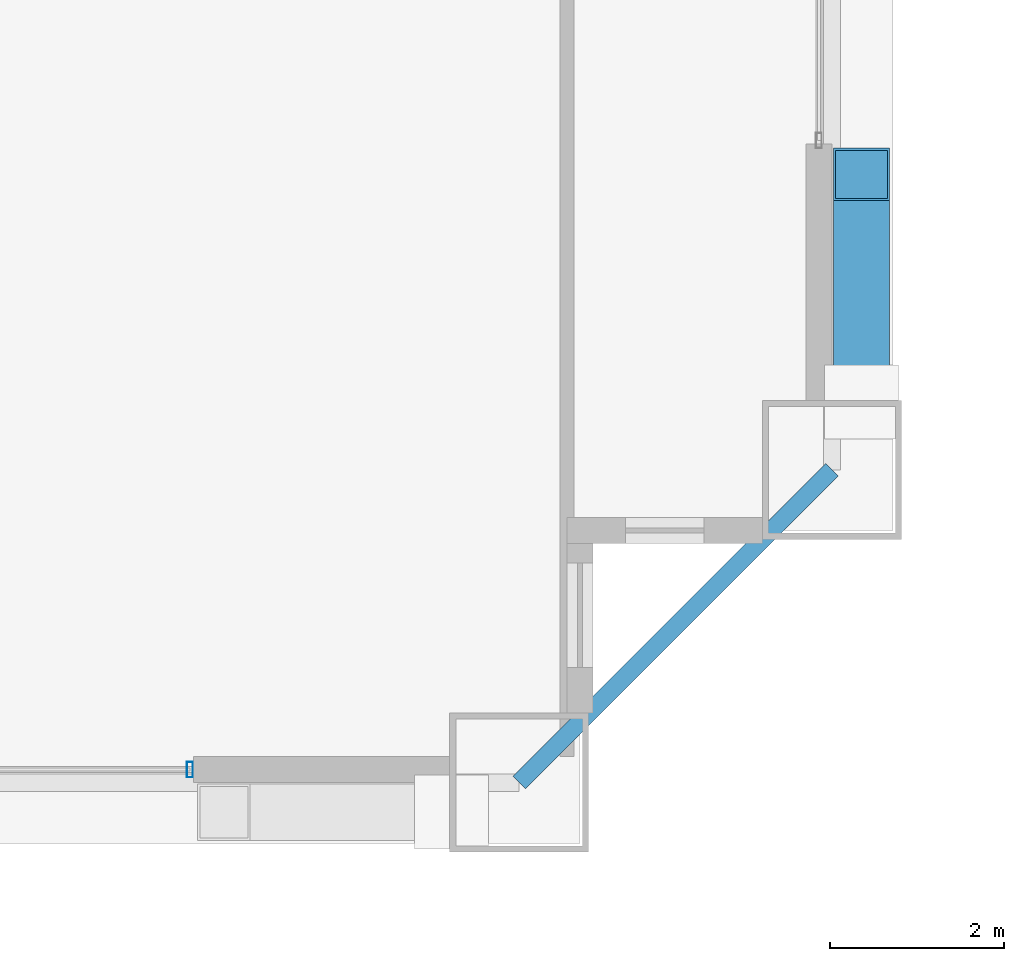
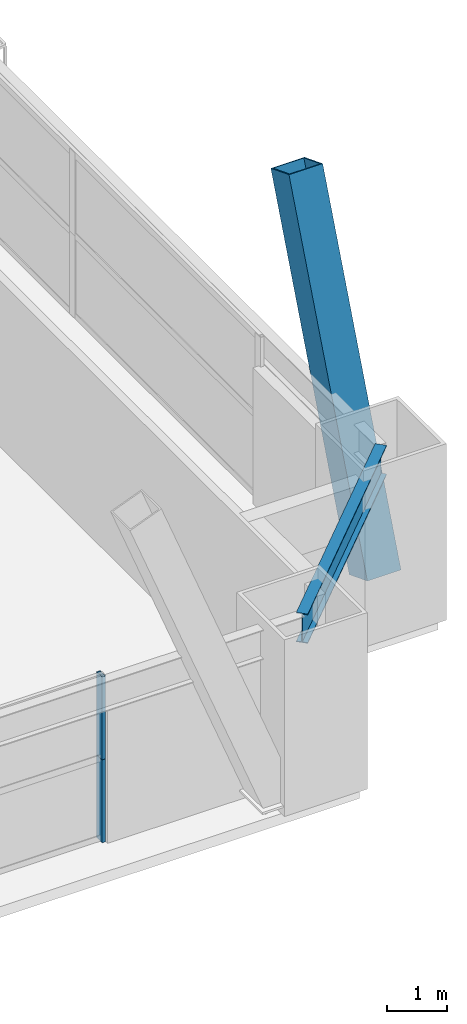
# One storey, part 16 of 43: 3 members, 1 beam, 1 element without a shape of its own.
"""IFC4 building model written with IfcOpenShell, lengths in metres."""

from ifc_helpers import new_model, si_unit, direction, frame, origin, origin_2d, place, context, subcontext, project, spatial, hollow_rectangle, i_section, extrude, source, transform, mapped, material, layer, layer_set, material_profile, profile_set, type_object, element, aggregate, save


model = new_model("IFC4")

# Units and contexts
model_context = context("Model", 3, precision=1e-05, world=origin(), true_north=direction((0.0, 1.0)))
body_context = subcontext(model_context, "Body", "Model", "MODEL_VIEW")
ifc_project = project(units=[si_unit("LENGTHUNIT", "METRE"), si_unit("AREAUNIT", "SQUARE_METRE"), si_unit("VOLUMEUNIT", "CUBIC_METRE"), si_unit("PLANEANGLEUNIT", "RADIAN"), si_unit("MASSUNIT", "GRAM", prefix="KILO"), si_unit("THERMODYNAMICTEMPERATUREUNIT", "KELVIN"), si_unit("POWERUNIT", "WATT")], contexts=[model_context])

# Site, building, storey
site_placement = place(None, origin())
site = spatial("IfcSite", under=ifc_project, at=site_placement, CompositionType="ELEMENT")
building_placement = place(site_placement, origin())
building = spatial("IfcBuilding", under=site, at=building_placement, Name="Yuzanri Waterfront Tower", CompositionType="ELEMENT")
storey_placement = place(building_placement, frame((0.0, 0.0, 101.0)))
storey = spatial("IfcBuildingStorey", under=building, at=storey_placement, Name="L26", CompositionType="ELEMENT", Elevation=101.0)

# Beam
ifc_material_1 = material(Name="Steel Q355B", Category="steel")
ifc_material_profile_1 = material_profile(ifc_material_1, i_section(OverallWidth=0.199951171875, OverallDepth=0.60009765625, WebThickness=0.010986328125, FlangeThickness=0.01708984375, at=origin_2d()), Name="HN 600x200x11x17")
ifc_profile_set_1 = profile_set([ifc_material_profile_1], Name="Steel Q355B")
beam_type = type_object("IfcBeamType", Name="Perimeter Spandrel Q355B HN 600x200", PredefinedType="SPANDREL", material=ifc_profile_set_1)
shared_shape_1 = source(origin(), body_context, "Body", "SweptSolid", [
    extrude(i_section(OverallWidth=0.199951171875, OverallDepth=0.60009765625, WebThickness=0.010986328125, FlangeThickness=0.01708984375, at=origin_2d()), origin(), (0.0, 0.0, 1.0), 5.09130859375),
])
beam_placement = place(storey_placement, frame((57.0, 2.199951171875, 3.080078125), z_axis=(0.707106781187, 0.707106781187, 0.0), x_axis=(-0.707106781187, 0.707106781187, 0.0)))
element("IfcBeam", 1, at=beam_placement, inside=storey, type_object=beam_type, Name="L26 Perimeter Spandrel S3-E1", PredefinedType="SPANDREL", context=body_context, shape_type="MappedRepresentation", body=[
    mapped(shared_shape_1, transform((0.0, 0.0, 0.0), scale=1.0)),
])

# Member
ifc_material_2 = material(Name="Steel Q420GJC", Category="steel")
ifc_material_profile_2 = material_profile(ifc_material_2, hollow_rectangle(XDim=0.64990234375, YDim=0.64990234375, WallThickness=0.028076171875, at=origin_2d()), Name="RHS 650x650x28")
ifc_profile_set_2 = profile_set([ifc_material_profile_2], Name="Steel Q420GJC")
member_type_1 = type_object("IfcMemberType", Name="Mega Brace Lower Q420GJC RHS 650x650x28", PredefinedType="BRACE", material=ifc_profile_set_2)
shared_shape_2 = source(origin(), body_context, "Body", "SweptSolid", [
    extrude(hollow_rectangle(XDim=0.64990234375, YDim=0.64990234375, WallThickness=0.028076171875, at=origin_2d()), origin(), (0.0, 0.0, 1.0), 7.19384765625),
])
member_1_placement = place(storey_placement, frame((60.93994140625, 6.580078125, 0.179931640625), z_axis=(0.0, 0.36417668996, 0.9313298763), x_axis=(-1.0, 0.0, 0.0)))
element("IfcMember", 2, at=member_1_placement, inside=storey, type_object=member_type_1, Name="L26-L27 Perimeter Mega-Brace E-L", PredefinedType="BRACE", context=body_context, shape_type="MappedRepresentation", body=[
    mapped(shared_shape_2, transform((0.0, 0.0, 0.0), scale=1.0)),
])

# Curtain wall, members
ifc_material_3 = material(Name="Anodized Architectural Bronze", Category="metal")
ifc_layer = layer(ifc_material_3, 0.159912109375)
ifc_layer_set = layer_set([ifc_layer], Name="Anodized Architectural Bronze")
curtain_wall_type = type_object("IfcCurtainWallType", Name="Anodized Bronze Hotel Upper-Tier Solar-Control Unitized Curtain Wall 7800", PredefinedType="NOTDEFINED", material=ifc_layer_set)
curtain_wall_placement = place(storey_placement, origin())
curtain_wall = element("IfcCurtainWall", 3, at=curtain_wall_placement, inside=storey, type_object=curtain_wall_type, Name="L26 Curtain Wall CW-L26-SR", PredefinedType="NOTDEFINED")
ifc_material_4 = material(Name="Anodized Architectural Bronze", Category="metal")
ifc_material_profile_3 = material_profile(ifc_material_4, hollow_rectangle(XDim=0.070068359375, YDim=0.179931640625, WallThickness=0.00390625, at=origin_2d()), Name="CWM 70x180")
ifc_profile_set_3 = profile_set([ifc_material_profile_3], Name="Anodized Architectural Bronze")
member_type_2 = type_object("IfcMemberType", Name="Anodized Bronze Standard Curtain-Wall Mullion 70x180", PredefinedType="MULLION", material=ifc_profile_set_3)
shared_shape_3 = source(origin(), body_context, "Body", "SweptSolid", [
    extrude(hollow_rectangle(XDim=0.070068359375, YDim=0.179931640625, WallThickness=0.00390625, at=origin_2d()), origin(), (0.0, 0.0, 1.0), 1.68798828125),
])
member_2_placement = place(storey_placement, frame((53.2099609375, 2.35009765625, 0.0), z_axis=(0.0, 0.0, 1.0), x_axis=(1.0, 0.0, 0.0)))
member_2 = element("IfcMember", 4, at=member_2_placement, type_object=member_type_2, Name="CW-L26-SR Lower Mullion 02", PredefinedType="MULLION", context=body_context, shape_type="MappedRepresentation", body=[
    mapped(shared_shape_3, transform((0.0, 0.0, 0.0), scale=1.0)),
])
member_3_placement = place(storey_placement, frame((53.2099609375, 2.35009765625, 1.69189453125), z_axis=(0.0, 0.0, 1.0), x_axis=(1.0, 0.0, 0.0)))
member_3 = element("IfcMember", 5, at=member_3_placement, type_object=member_type_2, Name="CW-L26-SR Upper Mullion 02", PredefinedType="MULLION", context=body_context, shape_type="MappedRepresentation", body=[
    mapped(shared_shape_3, transform((0.0, 0.0, 0.0), scale=1.0)),
])
aggregate(curtain_wall, [member_2, member_3])

save(model, "model.ifc")
